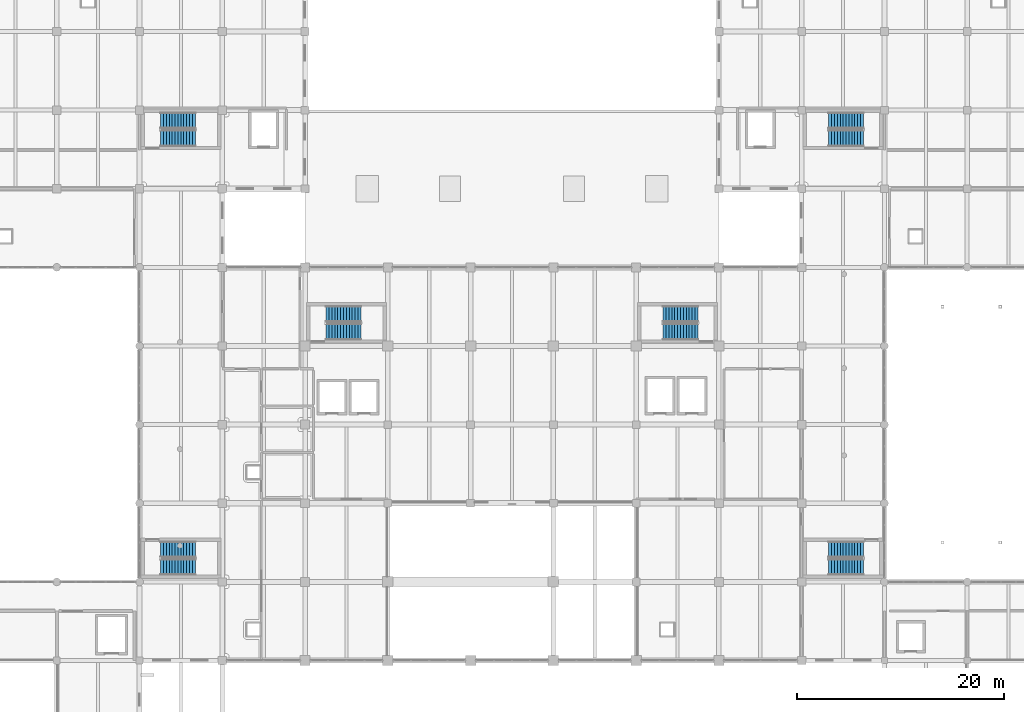
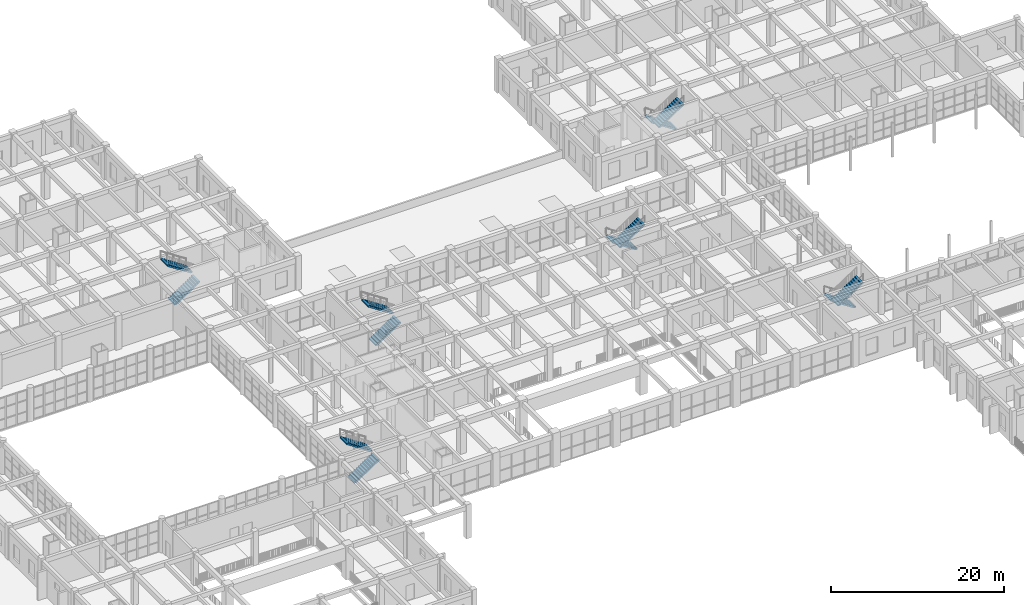
# One storey, part 84 of 101: 12 stair flights, 6 elements without a shape of their own.
"""IFC4 building model written with IfcOpenShell, lengths in metres."""

from ifc_helpers import new_model, si_unit, direction, frame, origin, place, context, subcontext, project, spatial, polyline, outline, extrude, material, type_object, element, aggregate, save


model = new_model("IFC4")

# Units and contexts
model_context = context("Model", 3, precision=1e-05, world=origin(), true_north=direction((0.0, 1.0)))
body_context = subcontext(model_context, "Body", "Model", "MODEL_VIEW")
ifc_project = project(units=[si_unit("LENGTHUNIT", "METRE"), si_unit("AREAUNIT", "SQUARE_METRE"), si_unit("VOLUMEUNIT", "CUBIC_METRE"), si_unit("PLANEANGLEUNIT", "RADIAN"), si_unit("MASSUNIT", "GRAM", prefix="KILO")], contexts=[model_context])

# Site, building, storey
site_placement = place(None, origin())
site = spatial("IfcSite", under=ifc_project, at=site_placement, CompositionType="ELEMENT")
building_placement = place(site_placement, origin())
building = spatial("IfcBuilding", under=site, at=building_placement, Name="Zantavel Square City Hall", CompositionType="ELEMENT")
storey_placement = place(building_placement, frame((0.0, 0.0, 5.39990234375)))
storey = spatial("IfcBuildingStorey", under=building, at=storey_placement, Name="L02", CompositionType="ELEMENT", Elevation=5.39990234375)

# Stair, stair flights
ifc_material = material(Name="Concrete C35/45", Category="concrete")
stair_type = type_object("IfcStairType", Name="Enclosed Core Dogleg Stair L02 H4800", PredefinedType="HALF_TURN_STAIR", material=ifc_material)
stair_1_placement = place(storey_placement, origin())
stair_1 = element("IfcStair", 1, at=stair_1_placement, inside=storey, type_object=stair_type, Name="L02 Exit Stair 1 North-West Core", PredefinedType="HALF_TURN_STAIR")
stair_flight_type = type_object("IfcStairFlightType", Name="Enclosed Core Stair Flight L02 W1560", PredefinedType="STRAIGHT", material=ifc_material)
stair_flight_1_placement = place(storey_placement, frame((50.030029296875, 80.8798828125, 0.0), z_axis=(0.0, 0.0, 1.0), x_axis=(1.0, 0.0, 0.0)))
stair_flight_1 = element("IfcStairFlight", 2, at=stair_flight_1_placement, type_object=stair_flight_type, Name="ST1 flight 1", NumberOfRisers=13, NumberOfTreads=12, PredefinedType="STRAIGHT", RiserHeight=0.184615385, TreadLength=0.28, context=body_context, shape_type="SweptSolid", body=[
    extrude(outline(polyline([(0.0, 0.0), (0.0, 0.1845703125), (0.280029296875, 0.1845703125), (0.280029296875, 0.369140625), (0.56005859375, 0.369140625), (0.56005859375, 0.553955078125), (0.840087890625, 0.553955078125), (0.840087890625, 0.738525390625), (1.1201171875, 0.738525390625), (1.1201171875, 0.923095703125), (1.39990234375, 0.923095703125), (1.39990234375, 1.107666015625), (1.679931640625, 1.107666015625), (1.679931640625, 1.292236328125), (1.9599609375, 1.292236328125), (1.9599609375, 1.476806640625), (2.239990234375, 1.476806640625), (2.239990234375, 1.66162109375), (2.52001953125, 1.66162109375), (2.52001953125, 1.84619140625), (2.800048828125, 1.84619140625), (2.800048828125, 2.03076171875), (3.080078125, 2.03076171875), (3.080078125, 2.21533203125), (3.360107421875, 2.21533203125), (3.360107421875, 2.39990234375), (3.360107421875, 2.035888671875), (0.272216796875, 0.0), (0.0, 0.0)])), frame((0.0, 0.780029296875, 0.0), z_axis=(0.0, -1.0, 0.0), x_axis=(1.0, 0.0, 0.0)), (0.0, 0.0, 1.0), 1.56005859375),
])
stair_flight_2_placement = place(storey_placement, frame((53.389892578125, 82.590087890625, 2.400146484375), z_axis=(0.0, 0.0, 1.0), x_axis=(-1.0, 0.0, 0.0)))
stair_flight_2 = element("IfcStairFlight", 3, at=stair_flight_2_placement, type_object=stair_flight_type, Name="ST1 flight 2", NumberOfRisers=13, NumberOfTreads=12, PredefinedType="STRAIGHT", RiserHeight=0.184615385, TreadLength=0.28, context=body_context, shape_type="SweptSolid", body=[
    extrude(outline(polyline([(0.0, 0.0), (0.0, 0.1845703125), (0.280029296875, 0.1845703125), (0.280029296875, 0.369140625), (0.56005859375, 0.369140625), (0.56005859375, 0.553955078125), (0.840087890625, 0.553955078125), (0.840087890625, 0.738525390625), (1.1201171875, 0.738525390625), (1.1201171875, 0.923095703125), (1.39990234375, 0.923095703125), (1.39990234375, 1.107666015625), (1.679931640625, 1.107666015625), (1.679931640625, 1.292236328125), (1.9599609375, 1.292236328125), (1.9599609375, 1.476806640625), (2.239990234375, 1.476806640625), (2.239990234375, 1.66162109375), (2.52001953125, 1.66162109375), (2.52001953125, 1.84619140625), (2.800048828125, 1.84619140625), (2.800048828125, 2.03076171875), (3.080078125, 2.03076171875), (3.080078125, 2.21533203125), (3.360107421875, 2.21533203125), (3.360107421875, 2.39990234375), (3.360107421875, 2.035888671875), (0.272216796875, 0.0), (0.0, 0.0)])), frame((0.0, 0.780029296875, 0.0), z_axis=(0.0, -1.0, 0.0), x_axis=(1.0, 0.0, 0.0)), (0.0, 0.0, 1.0), 1.56005859375),
])
aggregate(stair_1, [stair_flight_1, stair_flight_2])

stair_2_placement = place(storey_placement, origin())
stair_2 = element("IfcStair", 4, at=stair_2_placement, inside=storey, type_object=stair_type, Name="L02 Exit Stair 2 North-East Core", PredefinedType="HALF_TURN_STAIR")
stair_flight_3_placement = place(storey_placement, frame((117.969970703125, 82.590087890625, 0.0), z_axis=(0.0, 0.0, 1.0), x_axis=(-1.0, 0.0, 0.0)))
stair_flight_3 = element("IfcStairFlight", 5, at=stair_flight_3_placement, type_object=stair_flight_type, Name="ST2 flight 1", NumberOfRisers=13, NumberOfTreads=12, PredefinedType="STRAIGHT", RiserHeight=0.184615385, TreadLength=0.28, context=body_context, shape_type="SweptSolid", body=[
    extrude(outline(polyline([(0.0, 0.0), (0.0, 0.1845703125), (0.280029296875, 0.1845703125), (0.280029296875, 0.369140625), (0.56005859375, 0.369140625), (0.56005859375, 0.553955078125), (0.840087890625, 0.553955078125), (0.840087890625, 0.738525390625), (1.1201171875, 0.738525390625), (1.1201171875, 0.923095703125), (1.39990234375, 0.923095703125), (1.39990234375, 1.107666015625), (1.679931640625, 1.107666015625), (1.679931640625, 1.292236328125), (1.9599609375, 1.292236328125), (1.9599609375, 1.476806640625), (2.239990234375, 1.476806640625), (2.239990234375, 1.66162109375), (2.52001953125, 1.66162109375), (2.52001953125, 1.84619140625), (2.800048828125, 1.84619140625), (2.800048828125, 2.03076171875), (3.080078125, 2.03076171875), (3.080078125, 2.21533203125), (3.360107421875, 2.21533203125), (3.360107421875, 2.39990234375), (3.360107421875, 2.035888671875), (0.272216796875, 0.0), (0.0, 0.0)])), frame((0.0, 0.780029296875, 0.0), z_axis=(0.0, -1.0, 0.0), x_axis=(1.0, 0.0, 0.0)), (0.0, 0.0, 1.0), 1.56005859375),
])
stair_flight_4_placement = place(storey_placement, frame((114.610107421875, 80.8798828125, 2.400146484375), z_axis=(0.0, 0.0, 1.0), x_axis=(1.0, 0.0, 0.0)))
stair_flight_4 = element("IfcStairFlight", 6, at=stair_flight_4_placement, type_object=stair_flight_type, Name="ST2 flight 2", NumberOfRisers=13, NumberOfTreads=12, PredefinedType="STRAIGHT", RiserHeight=0.184615385, TreadLength=0.28, context=body_context, shape_type="SweptSolid", body=[
    extrude(outline(polyline([(0.0, 0.0), (0.0, 0.1845703125), (0.280029296875, 0.1845703125), (0.280029296875, 0.369140625), (0.56005859375, 0.369140625), (0.56005859375, 0.553955078125), (0.840087890625, 0.553955078125), (0.840087890625, 0.738525390625), (1.1201171875, 0.738525390625), (1.1201171875, 0.923095703125), (1.39990234375, 0.923095703125), (1.39990234375, 1.107666015625), (1.679931640625, 1.107666015625), (1.679931640625, 1.292236328125), (1.9599609375, 1.292236328125), (1.9599609375, 1.476806640625), (2.239990234375, 1.476806640625), (2.239990234375, 1.66162109375), (2.52001953125, 1.66162109375), (2.52001953125, 1.84619140625), (2.800048828125, 1.84619140625), (2.800048828125, 2.03076171875), (3.080078125, 2.03076171875), (3.080078125, 2.21533203125), (3.360107421875, 2.21533203125), (3.360107421875, 2.39990234375), (3.360107421875, 2.035888671875), (0.272216796875, 0.0), (0.0, 0.0)])), frame((0.0, 0.780029296875, 0.0), z_axis=(0.0, -1.0, 0.0), x_axis=(1.0, 0.0, 0.0)), (0.0, 0.0, 1.0), 1.56005859375),
])
aggregate(stair_2, [stair_flight_3, stair_flight_4])

stair_3_placement = place(storey_placement, origin())
stair_3 = element("IfcStair", 7, at=stair_3_placement, inside=storey, type_object=stair_type, Name="L02 Exit Stair 3 West Pavilion Core", PredefinedType="HALF_TURN_STAIR")
stair_flight_5_placement = place(storey_placement, frame((50.030029296875, 39.429931640625, 0.0), z_axis=(0.0, 0.0, 1.0), x_axis=(1.0, 0.0, 0.0)))
stair_flight_5 = element("IfcStairFlight", 8, at=stair_flight_5_placement, type_object=stair_flight_type, Name="ST3 flight 1", NumberOfRisers=13, NumberOfTreads=12, PredefinedType="STRAIGHT", RiserHeight=0.184615385, TreadLength=0.28, context=body_context, shape_type="SweptSolid", body=[
    extrude(outline(polyline([(0.0, 0.0), (0.0, 0.1845703125), (0.280029296875, 0.1845703125), (0.280029296875, 0.369140625), (0.56005859375, 0.369140625), (0.56005859375, 0.553955078125), (0.840087890625, 0.553955078125), (0.840087890625, 0.738525390625), (1.1201171875, 0.738525390625), (1.1201171875, 0.923095703125), (1.39990234375, 0.923095703125), (1.39990234375, 1.107666015625), (1.679931640625, 1.107666015625), (1.679931640625, 1.292236328125), (1.9599609375, 1.292236328125), (1.9599609375, 1.476806640625), (2.239990234375, 1.476806640625), (2.239990234375, 1.66162109375), (2.52001953125, 1.66162109375), (2.52001953125, 1.84619140625), (2.800048828125, 1.84619140625), (2.800048828125, 2.03076171875), (3.080078125, 2.03076171875), (3.080078125, 2.21533203125), (3.360107421875, 2.21533203125), (3.360107421875, 2.39990234375), (3.360107421875, 2.035888671875), (0.272216796875, 0.0), (0.0, 0.0)])), frame((0.0, 0.780029296875, 0.0), z_axis=(0.0, -1.0, 0.0), x_axis=(1.0, 0.0, 0.0)), (0.0, 0.0, 1.0), 1.56005859375),
])
stair_flight_6_placement = place(storey_placement, frame((53.389892578125, 41.139892578125, 2.400146484375), z_axis=(0.0, 0.0, 1.0), x_axis=(-1.0, 0.0, 0.0)))
stair_flight_6 = element("IfcStairFlight", 9, at=stair_flight_6_placement, type_object=stair_flight_type, Name="ST3 flight 2", NumberOfRisers=13, NumberOfTreads=12, PredefinedType="STRAIGHT", RiserHeight=0.184615385, TreadLength=0.28, context=body_context, shape_type="SweptSolid", body=[
    extrude(outline(polyline([(0.0, 0.0), (0.0, 0.1845703125), (0.280029296875, 0.1845703125), (0.280029296875, 0.369140625), (0.56005859375, 0.369140625), (0.56005859375, 0.553955078125), (0.840087890625, 0.553955078125), (0.840087890625, 0.738525390625), (1.1201171875, 0.738525390625), (1.1201171875, 0.923095703125), (1.39990234375, 0.923095703125), (1.39990234375, 1.107666015625), (1.679931640625, 1.107666015625), (1.679931640625, 1.292236328125), (1.9599609375, 1.292236328125), (1.9599609375, 1.476806640625), (2.239990234375, 1.476806640625), (2.239990234375, 1.66162109375), (2.52001953125, 1.66162109375), (2.52001953125, 1.84619140625), (2.800048828125, 1.84619140625), (2.800048828125, 2.03076171875), (3.080078125, 2.03076171875), (3.080078125, 2.21533203125), (3.360107421875, 2.21533203125), (3.360107421875, 2.39990234375), (3.360107421875, 2.035888671875), (0.272216796875, 0.0), (0.0, 0.0)])), frame((0.0, 0.780029296875, 0.0), z_axis=(0.0, -1.0, 0.0), x_axis=(1.0, 0.0, 0.0)), (0.0, 0.0, 1.0), 1.56005859375),
])
aggregate(stair_3, [stair_flight_5, stair_flight_6])

stair_4_placement = place(storey_placement, origin())
stair_4 = element("IfcStair", 10, at=stair_4_placement, inside=storey, type_object=stair_type, Name="L02 Exit Stair 4 East Annex Core", PredefinedType="HALF_TURN_STAIR")
stair_flight_7_placement = place(storey_placement, frame((117.969970703125, 41.139892578125, 0.0), z_axis=(0.0, 0.0, 1.0), x_axis=(-1.0, 0.0, 0.0)))
stair_flight_7 = element("IfcStairFlight", 11, at=stair_flight_7_placement, type_object=stair_flight_type, Name="ST4 flight 1", NumberOfRisers=13, NumberOfTreads=12, PredefinedType="STRAIGHT", RiserHeight=0.184615385, TreadLength=0.28, context=body_context, shape_type="SweptSolid", body=[
    extrude(outline(polyline([(0.0, 0.0), (0.0, 0.1845703125), (0.280029296875, 0.1845703125), (0.280029296875, 0.369140625), (0.56005859375, 0.369140625), (0.56005859375, 0.553955078125), (0.840087890625, 0.553955078125), (0.840087890625, 0.738525390625), (1.1201171875, 0.738525390625), (1.1201171875, 0.923095703125), (1.39990234375, 0.923095703125), (1.39990234375, 1.107666015625), (1.679931640625, 1.107666015625), (1.679931640625, 1.292236328125), (1.9599609375, 1.292236328125), (1.9599609375, 1.476806640625), (2.239990234375, 1.476806640625), (2.239990234375, 1.66162109375), (2.52001953125, 1.66162109375), (2.52001953125, 1.84619140625), (2.800048828125, 1.84619140625), (2.800048828125, 2.03076171875), (3.080078125, 2.03076171875), (3.080078125, 2.21533203125), (3.360107421875, 2.21533203125), (3.360107421875, 2.39990234375), (3.360107421875, 2.035888671875), (0.272216796875, 0.0), (0.0, 0.0)])), frame((0.0, 0.780029296875, 0.0), z_axis=(0.0, -1.0, 0.0), x_axis=(1.0, 0.0, 0.0)), (0.0, 0.0, 1.0), 1.56005859375),
])
stair_flight_8_placement = place(storey_placement, frame((114.610107421875, 39.429931640625, 2.400146484375), z_axis=(0.0, 0.0, 1.0), x_axis=(1.0, 0.0, 0.0)))
stair_flight_8 = element("IfcStairFlight", 12, at=stair_flight_8_placement, type_object=stair_flight_type, Name="ST4 flight 2", NumberOfRisers=13, NumberOfTreads=12, PredefinedType="STRAIGHT", RiserHeight=0.184615385, TreadLength=0.28, context=body_context, shape_type="SweptSolid", body=[
    extrude(outline(polyline([(0.0, 0.0), (0.0, 0.1845703125), (0.280029296875, 0.1845703125), (0.280029296875, 0.369140625), (0.56005859375, 0.369140625), (0.56005859375, 0.553955078125), (0.840087890625, 0.553955078125), (0.840087890625, 0.738525390625), (1.1201171875, 0.738525390625), (1.1201171875, 0.923095703125), (1.39990234375, 0.923095703125), (1.39990234375, 1.107666015625), (1.679931640625, 1.107666015625), (1.679931640625, 1.292236328125), (1.9599609375, 1.292236328125), (1.9599609375, 1.476806640625), (2.239990234375, 1.476806640625), (2.239990234375, 1.66162109375), (2.52001953125, 1.66162109375), (2.52001953125, 1.84619140625), (2.800048828125, 1.84619140625), (2.800048828125, 2.03076171875), (3.080078125, 2.03076171875), (3.080078125, 2.21533203125), (3.360107421875, 2.21533203125), (3.360107421875, 2.39990234375), (3.360107421875, 2.035888671875), (0.272216796875, 0.0), (0.0, 0.0)])), frame((0.0, 0.780029296875, 0.0), z_axis=(0.0, -1.0, 0.0), x_axis=(1.0, 0.0, 0.0)), (0.0, 0.0, 1.0), 1.56005859375),
])
aggregate(stair_4, [stair_flight_7, stair_flight_8])

stair_5_placement = place(storey_placement, origin())
stair_5 = element("IfcStair", 13, at=stair_5_placement, inside=storey, type_object=stair_type, Name="L02 Exit Stair 5 Central West Core", PredefinedType="HALF_TURN_STAIR")
stair_flight_9_placement = place(storey_placement, frame((66.030029296875, 62.179931640625, 0.0), z_axis=(0.0, 0.0, 1.0), x_axis=(1.0, 0.0, 0.0)))
stair_flight_9 = element("IfcStairFlight", 14, at=stair_flight_9_placement, type_object=stair_flight_type, Name="ST5 flight 1", NumberOfRisers=13, NumberOfTreads=12, PredefinedType="STRAIGHT", RiserHeight=0.184615385, TreadLength=0.28, context=body_context, shape_type="SweptSolid", body=[
    extrude(outline(polyline([(0.0, 0.0), (0.0, 0.1845703125), (0.280029296875, 0.1845703125), (0.280029296875, 0.369140625), (0.56005859375, 0.369140625), (0.56005859375, 0.553955078125), (0.840087890625, 0.553955078125), (0.840087890625, 0.738525390625), (1.1201171875, 0.738525390625), (1.1201171875, 0.923095703125), (1.39990234375, 0.923095703125), (1.39990234375, 1.107666015625), (1.679931640625, 1.107666015625), (1.679931640625, 1.292236328125), (1.9599609375, 1.292236328125), (1.9599609375, 1.476806640625), (2.239990234375, 1.476806640625), (2.239990234375, 1.66162109375), (2.52001953125, 1.66162109375), (2.52001953125, 1.84619140625), (2.800048828125, 1.84619140625), (2.800048828125, 2.03076171875), (3.080078125, 2.03076171875), (3.080078125, 2.21533203125), (3.360107421875, 2.21533203125), (3.360107421875, 2.39990234375), (3.360107421875, 2.035888671875), (0.272216796875, 0.0), (0.0, 0.0)])), frame((0.0, 0.780029296875, 0.0), z_axis=(0.0, -1.0, 0.0), x_axis=(1.0, 0.0, 0.0)), (0.0, 0.0, 1.0), 1.56005859375),
])
stair_flight_10_placement = place(storey_placement, frame((69.389892578125, 63.889892578125, 2.400146484375), z_axis=(0.0, 0.0, 1.0), x_axis=(-1.0, 0.0, 0.0)))
stair_flight_10 = element("IfcStairFlight", 15, at=stair_flight_10_placement, type_object=stair_flight_type, Name="ST5 flight 2", NumberOfRisers=13, NumberOfTreads=12, PredefinedType="STRAIGHT", RiserHeight=0.184615385, TreadLength=0.28, context=body_context, shape_type="SweptSolid", body=[
    extrude(outline(polyline([(0.0, 0.0), (0.0, 0.1845703125), (0.280029296875, 0.1845703125), (0.280029296875, 0.369140625), (0.56005859375, 0.369140625), (0.56005859375, 0.553955078125), (0.840087890625, 0.553955078125), (0.840087890625, 0.738525390625), (1.1201171875, 0.738525390625), (1.1201171875, 0.923095703125), (1.39990234375, 0.923095703125), (1.39990234375, 1.107666015625), (1.679931640625, 1.107666015625), (1.679931640625, 1.292236328125), (1.9599609375, 1.292236328125), (1.9599609375, 1.476806640625), (2.239990234375, 1.476806640625), (2.239990234375, 1.66162109375), (2.52001953125, 1.66162109375), (2.52001953125, 1.84619140625), (2.800048828125, 1.84619140625), (2.800048828125, 2.03076171875), (3.080078125, 2.03076171875), (3.080078125, 2.21533203125), (3.360107421875, 2.21533203125), (3.360107421875, 2.39990234375), (3.360107421875, 2.035888671875), (0.272216796875, 0.0), (0.0, 0.0)])), frame((0.0, 0.780029296875, 0.0), z_axis=(0.0, -1.0, 0.0), x_axis=(1.0, 0.0, 0.0)), (0.0, 0.0, 1.0), 1.56005859375),
])
aggregate(stair_5, [stair_flight_9, stair_flight_10])

stair_6_placement = place(storey_placement, origin())
stair_6 = element("IfcStair", 16, at=stair_6_placement, inside=storey, type_object=stair_type, Name="L02 Exit Stair 6 Central East Core", PredefinedType="HALF_TURN_STAIR")
stair_flight_11_placement = place(storey_placement, frame((101.969970703125, 63.889892578125, 0.0), z_axis=(0.0, 0.0, 1.0), x_axis=(-1.0, 0.0, 0.0)))
stair_flight_11 = element("IfcStairFlight", 17, at=stair_flight_11_placement, type_object=stair_flight_type, Name="ST6 flight 1", NumberOfRisers=13, NumberOfTreads=12, PredefinedType="STRAIGHT", RiserHeight=0.184615385, TreadLength=0.28, context=body_context, shape_type="SweptSolid", body=[
    extrude(outline(polyline([(0.0, 0.0), (0.0, 0.1845703125), (0.280029296875, 0.1845703125), (0.280029296875, 0.369140625), (0.56005859375, 0.369140625), (0.56005859375, 0.553955078125), (0.840087890625, 0.553955078125), (0.840087890625, 0.738525390625), (1.1201171875, 0.738525390625), (1.1201171875, 0.923095703125), (1.39990234375, 0.923095703125), (1.39990234375, 1.107666015625), (1.679931640625, 1.107666015625), (1.679931640625, 1.292236328125), (1.9599609375, 1.292236328125), (1.9599609375, 1.476806640625), (2.239990234375, 1.476806640625), (2.239990234375, 1.66162109375), (2.52001953125, 1.66162109375), (2.52001953125, 1.84619140625), (2.800048828125, 1.84619140625), (2.800048828125, 2.03076171875), (3.080078125, 2.03076171875), (3.080078125, 2.21533203125), (3.360107421875, 2.21533203125), (3.360107421875, 2.39990234375), (3.360107421875, 2.035888671875), (0.272216796875, 0.0), (0.0, 0.0)])), frame((0.0, 0.780029296875, 0.0), z_axis=(0.0, -1.0, 0.0), x_axis=(1.0, 0.0, 0.0)), (0.0, 0.0, 1.0), 1.56005859375),
])
stair_flight_12_placement = place(storey_placement, frame((98.610107421875, 62.179931640625, 2.400146484375), z_axis=(0.0, 0.0, 1.0), x_axis=(1.0, 0.0, 0.0)))
stair_flight_12 = element("IfcStairFlight", 18, at=stair_flight_12_placement, type_object=stair_flight_type, Name="ST6 flight 2", NumberOfRisers=13, NumberOfTreads=12, PredefinedType="STRAIGHT", RiserHeight=0.184615385, TreadLength=0.28, context=body_context, shape_type="SweptSolid", body=[
    extrude(outline(polyline([(0.0, 0.0), (0.0, 0.1845703125), (0.280029296875, 0.1845703125), (0.280029296875, 0.369140625), (0.56005859375, 0.369140625), (0.56005859375, 0.553955078125), (0.840087890625, 0.553955078125), (0.840087890625, 0.738525390625), (1.1201171875, 0.738525390625), (1.1201171875, 0.923095703125), (1.39990234375, 0.923095703125), (1.39990234375, 1.107666015625), (1.679931640625, 1.107666015625), (1.679931640625, 1.292236328125), (1.9599609375, 1.292236328125), (1.9599609375, 1.476806640625), (2.239990234375, 1.476806640625), (2.239990234375, 1.66162109375), (2.52001953125, 1.66162109375), (2.52001953125, 1.84619140625), (2.800048828125, 1.84619140625), (2.800048828125, 2.03076171875), (3.080078125, 2.03076171875), (3.080078125, 2.21533203125), (3.360107421875, 2.21533203125), (3.360107421875, 2.39990234375), (3.360107421875, 2.035888671875), (0.272216796875, 0.0), (0.0, 0.0)])), frame((0.0, 0.780029296875, 0.0), z_axis=(0.0, -1.0, 0.0), x_axis=(1.0, 0.0, 0.0)), (0.0, 0.0, 1.0), 1.56005859375),
])
aggregate(stair_6, [stair_flight_11, stair_flight_12])

save(model, "model.ifc")
